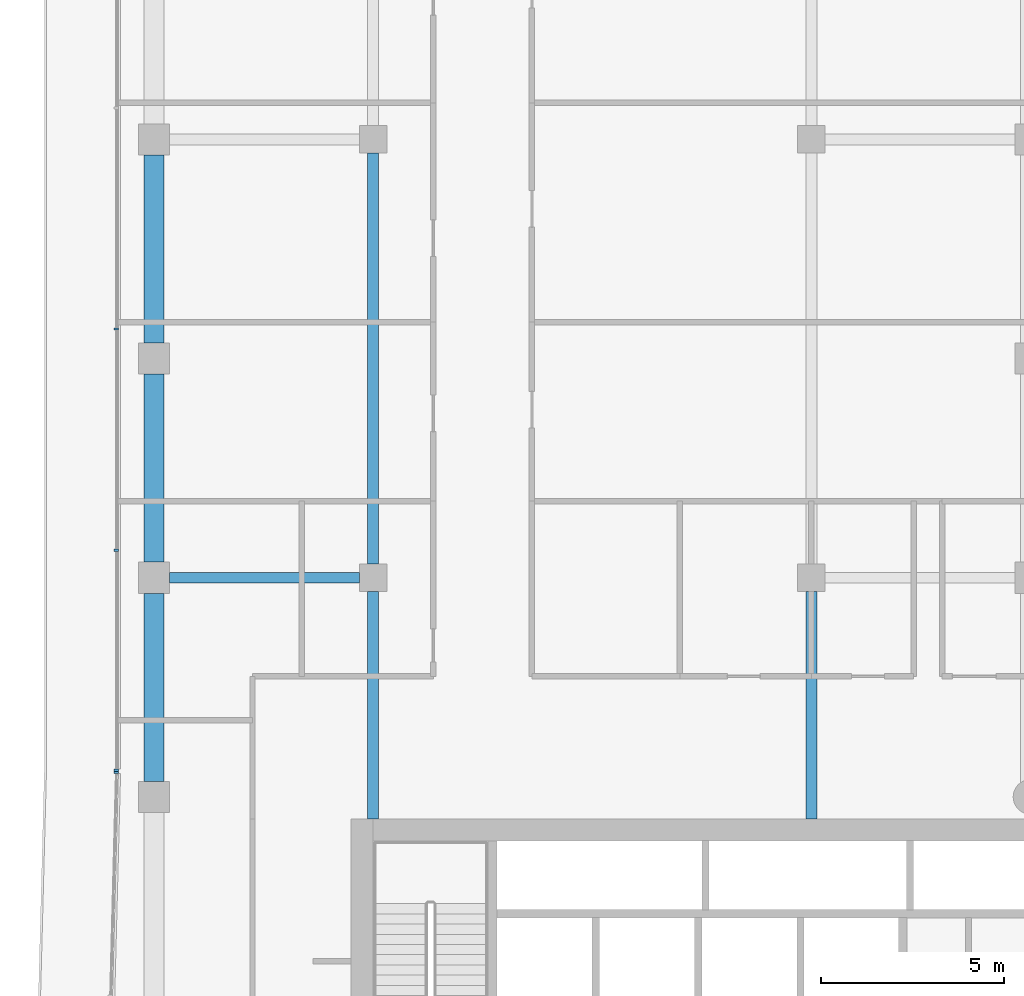
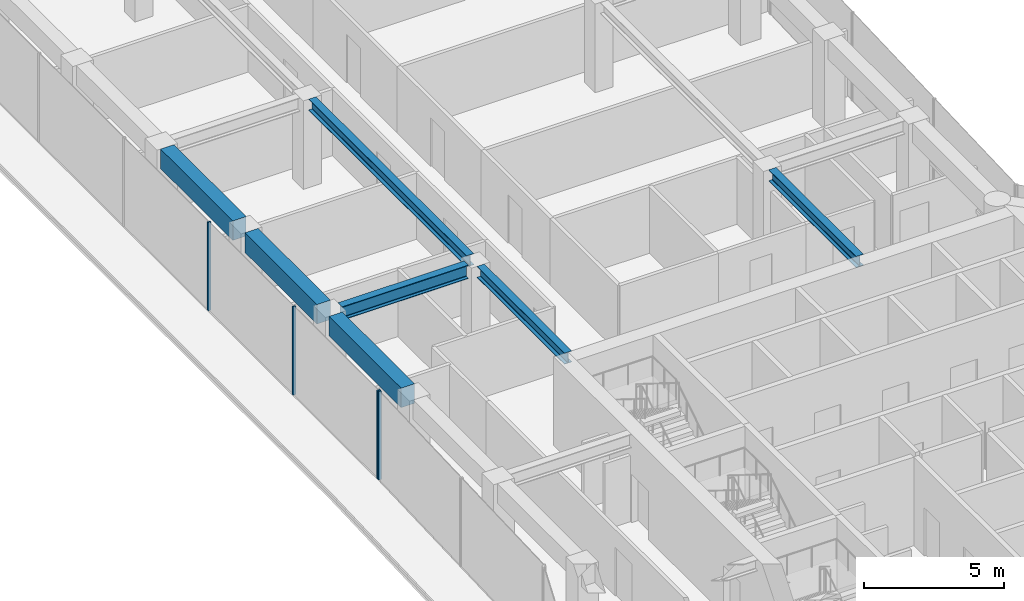
# One storey, part 7 of 19: 7 beams, 4 members, 2 elements without a shape of their own.
"""IFC4 building model written with IfcOpenShell, lengths in metres."""

from ifc_helpers import new_model, si_unit, direction, frame, origin, origin_2d, place, context, subcontext, project, spatial, rectangle, i_section, extrude, material, layer, layer_set, material_profile, profile_set, type_object, element, aggregate, save


model = new_model("IFC4")

# Units and contexts
model_context = context("Model", 3, precision=1e-05, world=origin(), true_north=direction((0.0, 1.0)))
body_context = subcontext(model_context, "Body", "Model", "MODEL_VIEW")
ifc_project = project(units=[si_unit("LENGTHUNIT", "METRE"), si_unit("AREAUNIT", "SQUARE_METRE"), si_unit("VOLUMEUNIT", "CUBIC_METRE"), si_unit("PLANEANGLEUNIT", "RADIAN"), si_unit("MASSUNIT", "GRAM", prefix="KILO")], contexts=[model_context])

# Site, building, storey
site_placement = place(None, origin())
site = spatial("IfcSite", under=ifc_project, at=site_placement, CompositionType="ELEMENT")
building_placement = place(site_placement, origin())
building = spatial("IfcBuilding", under=site, at=building_placement, Name="Welwitschia Terrace Campus", CompositionType="ELEMENT")
storey_placement = place(building_placement, frame((0.0, 0.0, 163.39990234375)))
storey = spatial("IfcBuildingStorey", under=building, at=storey_placement, Name="L36", CompositionType="ELEMENT", Elevation=163.39990234375)

# Beams
ifc_material_1 = material(Name="Steel S355", Category="steel")
ifc_material_profile_1 = material_profile(ifc_material_1, i_section(OverallWidth=0.300048828125, OverallDepth=0.489990234375, WebThickness=0.011962890625, FlangeThickness=0.02294921875, FilletRadius=0.027099609375, at=origin_2d()))
ifc_profile_set_1 = profile_set([ifc_material_profile_1], Name="Steel S355")
beam_type_1 = type_object("IfcBeamType", Name="Interior girder HE 500 A", PredefinedType="BEAM", material=ifc_profile_set_1)
beam_1_placement = place(storey_placement, frame((6.0, 25.40087890625, 3.60498046875), z_axis=(0.0, 1.0, 0.0), x_axis=(-1.0, 0.0, 0.0)))
element("IfcBeam", 1, at=beam_1_placement, inside=storey, type_object=beam_type_1, Name="Girder GB4", PredefinedType="BEAM", context=body_context, shape_type="SweptSolid", body=[
    extrude(i_section(OverallWidth=0.300048828125, OverallDepth=0.489990234375, WebThickness=0.011962890625, FlangeThickness=0.02294921875, FilletRadius=0.027099609375, at=origin_2d()), origin(), (0.0, 0.0, 1.0), 6.2236328125),
])
beam_2_placement = place(storey_placement, frame((6.0, 32.37548828125, 3.60498046875), z_axis=(0.0, 1.0, 0.0), x_axis=(-1.0, 0.0, 0.0)))
element("IfcBeam", 2, at=beam_2_placement, inside=storey, type_object=beam_type_1, Name="Girder GB4", PredefinedType="BEAM", context=body_context, shape_type="SweptSolid", body=[
    extrude(i_section(OverallWidth=0.300048828125, OverallDepth=0.489990234375, WebThickness=0.011962890625, FlangeThickness=0.02294921875, FilletRadius=0.027099609375, at=origin_2d()), origin(), (0.0, 0.0, 1.0), 11.2490234375),
])
beam_3_placement = place(storey_placement, frame((18.0, 25.40087890625, 3.60498046875), z_axis=(0.0, 1.0, 0.0), x_axis=(-1.0, 0.0, 0.0)))
element("IfcBeam", 3, at=beam_3_placement, inside=storey, type_object=beam_type_1, Name="Girder GB4", PredefinedType="BEAM", context=body_context, shape_type="SweptSolid", body=[
    extrude(i_section(OverallWidth=0.300048828125, OverallDepth=0.489990234375, WebThickness=0.011962890625, FlangeThickness=0.02294921875, FilletRadius=0.027099609375, at=origin_2d()), origin(), (0.0, 0.0, 1.0), 6.2236328125),
])

# Curtain wall, members
ifc_material_2 = material(Name="Bronze anodised aluminium", Category="aluminium")
ifc_layer = layer(ifc_material_2, 0.1201171875)
ifc_layer_set = layer_set([ifc_layer], Name="Bronze anodised aluminium")
curtain_wall_type = type_object("IfcCurtainWallType", Name="Curtain wall CW2 tower 6000", PredefinedType="NOTDEFINED", material=ifc_layer_set)
curtain_wall_1_placement = place(storey_placement, origin())
curtain_wall_1 = element("IfcCurtainWall", 4, at=curtain_wall_1_placement, inside=storey, type_object=curtain_wall_type, Name="CW L36.0.0", PredefinedType="NOTDEFINED")
ifc_material_3 = material(Name="Bronze anodised aluminium", Category="aluminium")
ifc_material_profile_2 = material_profile(ifc_material_3, rectangle(XDim=0.1201171875, YDim=0.06005859375, at=origin_2d()))
ifc_profile_set_2 = profile_set([ifc_material_profile_2], Name="Bronze anodised aluminium")
member_type = type_object("IfcMemberType", Name="Mullion 60x120", PredefinedType="MULLION", material=ifc_profile_set_2)
member_1_placement = place(storey_placement, frame((-1.030029296875, 38.806884765625, 0.0), z_axis=(0.0, 0.0, 1.0), x_axis=(1.0, 0.0, 0.0)))
member_1 = element("IfcMember", 5, at=member_1_placement, type_object=member_type, Name="Mullion L36.0.0.4", PredefinedType="MULLION", context=body_context, shape_type="SweptSolid", body=[
    extrude(rectangle(XDim=0.1201171875, YDim=0.06005859375, at=origin_2d()), origin(), (0.0, 0.0, 1.0), 3.85009765625),
])
member_2_placement = place(storey_placement, frame((-1.030029296875, 32.75390625, 0.0), z_axis=(0.0, 0.0, 1.0), x_axis=(1.0, 0.0, 0.0)))
member_2 = element("IfcMember", 6, at=member_2_placement, type_object=member_type, Name="Mullion L36.0.0.5", PredefinedType="MULLION", context=body_context, shape_type="SweptSolid", body=[
    extrude(rectangle(XDim=0.1201171875, YDim=0.06005859375, at=origin_2d()), origin(), (0.0, 0.0, 1.0), 3.85009765625),
])
member_3_placement = place(storey_placement, frame((-1.030029296875, 26.731201171875, 0.0), z_axis=(0.0, 0.0, 1.0), x_axis=(1.0, 0.0, 0.0)))
member_3 = element("IfcMember", 7, at=member_3_placement, type_object=member_type, Name="Mullion L36.0.0.6", PredefinedType="MULLION", context=body_context, shape_type="SweptSolid", body=[
    extrude(rectangle(XDim=0.1201171875, YDim=0.06005859375, at=origin_2d()), origin(), (0.0, 0.0, 1.0), 3.85009765625),
])
aggregate(curtain_wall_1, [member_1, member_2, member_3])

# Curtain wall, member
curtain_wall_2_placement = place(storey_placement, origin())
curtain_wall_2 = element("IfcCurtainWall", 8, at=curtain_wall_2_placement, inside=storey, type_object=curtain_wall_type, Name="CW L36.1.0", PredefinedType="NOTDEFINED")
member_4_placement = place(storey_placement, frame((-1.03076171875, 26.671142578125, 0.0), z_axis=(0.0, 0.0, 1.0), x_axis=(0.999657324976, -0.026176948308, 0.0)))
member_4 = element("IfcMember", 9, at=member_4_placement, type_object=member_type, Name="Mullion L36.1.0.0", PredefinedType="MULLION", context=body_context, shape_type="SweptSolid", body=[
    extrude(rectangle(XDim=0.1201171875, YDim=0.06005859375, at=origin_2d()), origin(), (0.0, 0.0, 1.0), 3.85009765625),
])
aggregate(curtain_wall_2, [member_4])

# Beams
ifc_material_4 = material(Name="Steel S355", Category="steel")
ifc_material_profile_3 = material_profile(ifc_material_4, i_section(OverallWidth=0.300048828125, OverallDepth=0.590087890625, WebThickness=0.012939453125, FlangeThickness=0.02490234375, FilletRadius=0.027099609375, at=origin_2d()))
ifc_profile_set_3 = profile_set([ifc_material_profile_3], Name="Steel S355")
beam_type_2 = type_object("IfcBeamType", Name="Primary beam HE 600 A", PredefinedType="BEAM", material=ifc_profile_set_3)
beam_4_placement = place(storey_placement, frame((0.425537109375, 32.0, 3.55517578125), z_axis=(1.0, 0.0, 0.0), x_axis=(0.0, 1.0, 0.0)))
element("IfcBeam", 10, at=beam_4_placement, inside=storey, type_object=beam_type_2, Name="Primary beam PB4", PredefinedType="BEAM", context=body_context, shape_type="SweptSolid", body=[
    extrude(i_section(OverallWidth=0.300048828125, OverallDepth=0.590087890625, WebThickness=0.012939453125, FlangeThickness=0.02490234375, FilletRadius=0.027099609375, at=origin_2d()), origin(), (0.0, 0.0, 1.0), 5.198974609375),
])
ifc_material_5 = material(Name="Concrete C50/60", Category="concrete")
ifc_material_profile_4 = material_profile(ifc_material_5, rectangle(XDim=0.550048828125, YDim=0.85009765625, at=origin_2d()))
ifc_profile_set_4 = profile_set([ifc_material_profile_4], Name="Concrete C50/60")
beam_type_3 = type_object("IfcBeamType", Name="Ring spandrel 550x850", PredefinedType="SPANDREL", material=ifc_profile_set_4)
for number, where, z_axis, x_axis, name in (
    (11, (0.0, 43.574462890625, 3.425048828125), (0.0, -1.0, 0.0), (1.0, 0.0, 0.0), "Spandrel SP3"),
    (12, (0.0, 37.574462890625, 3.425048828125), (0.0, -1.0, 0.0), (1.0, 0.0, 0.0), "Spandrel SP3"),
    (13, (0.0, 31.574462890625, 3.425048828125), (0.0, -1.0, 0.0), (1.0, 0.0, 0.0), "Spandrel SP3"),
):
    element("IfcBeam", number, at=place(storey_placement, frame(where, z_axis=z_axis, x_axis=x_axis)), inside=storey, type_object=beam_type_3, Name=name, PredefinedType="SPANDREL", context=body_context, shape_type="SweptSolid", body=[
        extrude(rectangle(XDim=0.550048828125, YDim=0.85009765625, at=origin_2d()), origin(), (0.0, 0.0, 1.0), 5.14892578125),
    ])

save(model, "model.ifc")
